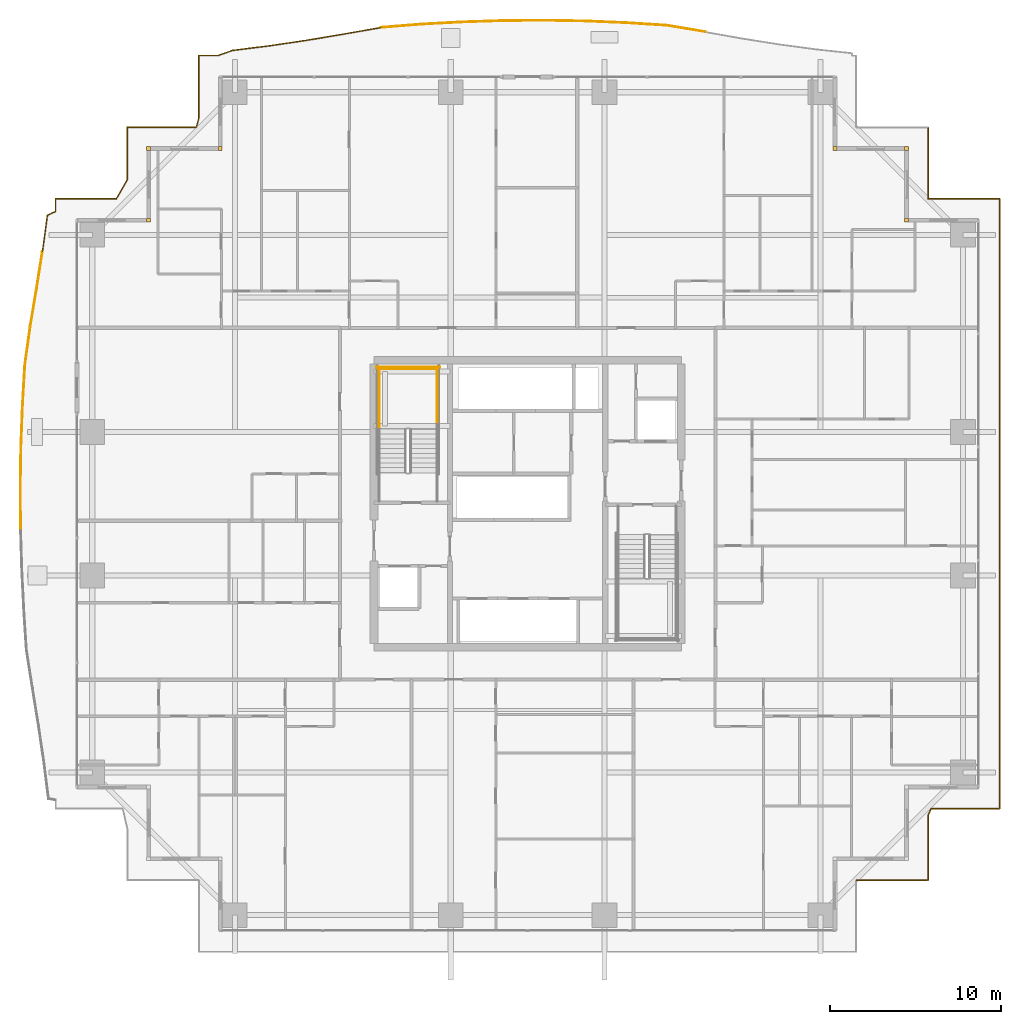
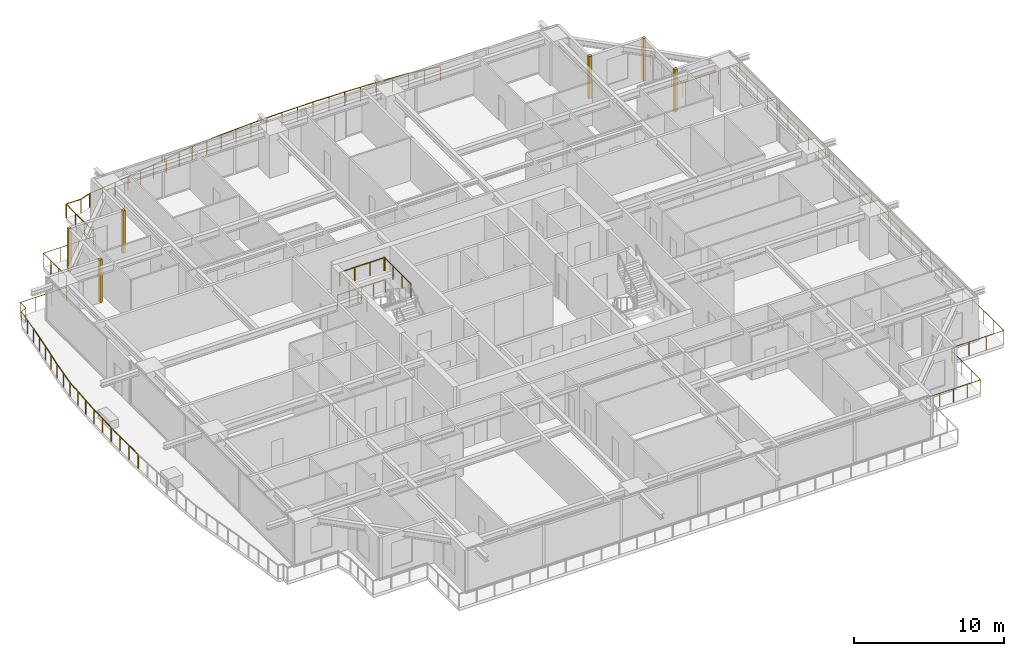
# One storey, part 34 of 35: 9 railings, 6 coverings.
"""IFC4 building model written with IfcOpenShell, lengths in metres."""

from ifc_helpers import new_model, si_unit, direction, frame, origin, origin_2d, place, context, subcontext, project, spatial, rectangle, circle, extrude, source, transform, mapped, material, layer, layer_set, type_object, element, save


model = new_model("IFC4")

# Units and contexts
model_context = context("Model", 3, precision=1e-05, world=origin(), true_north=direction((0.0, 1.0)))
body_context = subcontext(model_context, "Body", "Model", "MODEL_VIEW")
ifc_project = project(units=[si_unit("LENGTHUNIT", "METRE"), si_unit("AREAUNIT", "SQUARE_METRE"), si_unit("VOLUMEUNIT", "CUBIC_METRE"), si_unit("PLANEANGLEUNIT", "RADIAN"), si_unit("MASSUNIT", "GRAM", prefix="KILO")], contexts=[model_context])

# Site, building, storey
site_placement = place(None, origin())
site = spatial("IfcSite", under=ifc_project, at=site_placement, CompositionType="ELEMENT")
building_placement = place(site_placement, origin())
building = spatial("IfcBuilding", under=site, at=building_placement, Name="Serunith Strait Residences", CompositionType="ELEMENT")
storey_placement = place(building_placement, frame((0.0, 0.0, 71.699951171875)))
storey = spatial("IfcBuildingStorey", under=building, at=storey_placement, Name="L17", CompositionType="ELEMENT", Elevation=71.699951171875)

# Railings
ifc_material_1 = material(Name="Stainless Steel & Laminated Glass Balustrade", Category="steel")
railing_type_1 = type_object("IfcRailingType", Name="RLG-BALC-1150", PredefinedType="BALUSTRADE", material=ifc_material_1)
railing_1_placement = place(storey_placement, frame((2.70751953125, 23.76611328125, -0.050048828125)))
element("IfcRailing", 1, at=railing_1_placement, inside=storey, type_object=railing_type_1, Name="L17 Swirling Balcony Perimeter Balustrade 2", PredefinedType="BALUSTRADE", context=body_context, shape_type="SweptSolid", body=[
    extrude(circle(Radius=0.02392578125, at=origin_2d()), frame((0.0, 0.001953125, 1.1259765625), z_axis=(-0.007701433533, 0.999970343521, 0.0), x_axis=(-0.999970343521, -0.007701433533, 0.0)), (0.0, 0.0, 1.0), 2.4052734375),
    extrude(circle(Radius=0.02392578125, at=origin_2d()), frame((-0.0185546875, 2.4111328125, 1.1259765625), z_axis=(0.015523243491, 0.999879507197, 0.0), x_axis=(-0.999879507197, 0.015523243491, 0.0)), (0.0, 0.0, 1.0), 2.40234375),
    extrude(circle(Radius=0.02392578125, at=origin_2d()), frame((0.018798828125, 4.817138671875, 1.1259765625), z_axis=(0.037978302597, 0.999278564031, 0.0), x_axis=(-0.999278564031, 0.037978302597, 0.0)), (0.0, 0.0, 1.0), 2.387451171875),
    extrude(circle(Radius=0.02392578125, at=origin_2d()), frame((0.109619140625, 7.206787109375, 1.1259765625), z_axis=(0.057578734925, 0.998340968449, 0.0), x_axis=(-0.998340968449, 0.057578734925, 0.0)), (0.0, 0.0, 1.0), 2.362060546875),
    extrude(circle(Radius=0.02392578125, at=origin_2d()), frame((0.24609375, 9.56884765625, 1.1259765625), z_axis=(0.138028779724, 0.990428218483, 0.0), x_axis=(-0.990428218483, 0.138028779724, 0.0)), (0.0, 0.0, 1.0), 2.293701171875),
    extrude(circle(Radius=0.02392578125, at=origin_2d()), frame((0.563232421875, 11.844482421875, 1.1259765625), z_axis=(0.165498642095, 0.98621001793, 0.0), x_axis=(-0.98621001793, 0.165498642095, 0.0)), (0.0, 0.0, 1.0), 2.22802734375),
    extrude(circle(Radius=0.02392578125, at=origin_2d()), frame((0.9326171875, 14.045654296875, 1.1259765625), z_axis=(0.154492824652, 0.987993910473, 0.0), x_axis=(-0.987993910473, 0.154492824652, 0.0)), (0.0, 0.0, 1.0), 2.179931640625),
    extrude(circle(Radius=0.02099609375, at=origin_2d()), origin(), (0.0, 0.0, 1.0), 1.099853515625),
    extrude(circle(Radius=0.02099609375, at=origin_2d()), frame((-0.00927734375, 1.20458984375, 0.0)), (0.0, 0.0, 1.0), 1.099853515625),
    extrude(circle(Radius=0.02099609375, at=origin_2d()), frame((-0.0185546875, 2.4091796875, 0.0)), (0.0, 0.0, 1.0), 1.099853515625),
    extrude(circle(Radius=0.02099609375, at=origin_2d()), frame((0.0, 3.6123046875, 0.0)), (0.0, 0.0, 1.0), 1.099853515625),
    extrude(circle(Radius=0.02099609375, at=origin_2d()), frame((0.018798828125, 4.815185546875, 0.0)), (0.0, 0.0, 1.0), 1.099853515625),
    extrude(circle(Radius=0.02099609375, at=origin_2d()), frame((0.064208984375, 6.010009765625, 0.0)), (0.0, 0.0, 1.0), 1.099853515625),
    extrude(circle(Radius=0.02099609375, at=origin_2d()), frame((0.109619140625, 7.204833984375, 0.0)), (0.0, 0.0, 1.0), 1.099853515625),
    extrude(circle(Radius=0.02099609375, at=origin_2d()), frame((0.177734375, 8.3857421875, 0.0)), (0.0, 0.0, 1.0), 1.099853515625),
    extrude(circle(Radius=0.02099609375, at=origin_2d()), frame((0.245849609375, 9.56689453125, 0.0)), (0.0, 0.0, 1.0), 1.099853515625),
    extrude(circle(Radius=0.02099609375, at=origin_2d()), frame((0.404296875, 10.70458984375, 0.0)), (0.0, 0.0, 1.0), 1.099853515625),
    extrude(circle(Radius=0.02099609375, at=origin_2d()), frame((0.56298828125, 11.842529296875, 0.0)), (0.0, 0.0, 1.0), 1.099853515625),
    extrude(circle(Radius=0.02099609375, at=origin_2d()), frame((0.74755859375, 12.943115234375, 0.0)), (0.0, 0.0, 1.0), 1.099853515625),
    extrude(circle(Radius=0.02099609375, at=origin_2d()), frame((0.932373046875, 14.043701171875, 0.0)), (0.0, 0.0, 1.0), 1.099853515625),
    extrude(circle(Radius=0.02099609375, at=origin_2d()), frame((1.10107421875, 15.12255859375, 0.0)), (0.0, 0.0, 1.0), 1.099853515625),
    extrude(circle(Radius=0.02099609375, at=origin_2d()), frame((1.269775390625, 16.201416015625, 0.0)), (0.0, 0.0, 1.0), 1.099853515625),
])
railing_2_placement = place(storey_placement, frame((3.977294921875, 39.967529296875, -0.050048828125)))
element("IfcRailing", 2, at=railing_2_placement, inside=storey, type_object=railing_type_1, Name="L17 Swirling Balcony Perimeter Balustrade 3", PredefinedType="BALUSTRADE", context=body_context, shape_type="SweptSolid", body=[
    extrude(circle(Radius=0.02392578125, at=origin_2d()), frame((0.000244140625, 0.001953125, 1.1259765625), z_axis=(0.134571398736, 0.990903899802, 0.0), x_axis=(-0.990903899802, 0.134571398736, 0.0)), (0.0, 0.0, 1.0), 2.147705078125),
    extrude(circle(Radius=0.02392578125, at=origin_2d()), frame((0.291259765625, 2.1328125, 1.1259765625), z_axis=(0.909996259407, 0.414616458749, 0.0), x_axis=(-0.414616458749, 0.909996259407, 0.0)), (0.0, 0.0, 1.0), 0.515869140625),
    extrude(circle(Radius=0.02392578125, at=origin_2d()), frame((0.7626953125, 2.349609375, 1.1259765625), z_axis=(0.0, 1.0, 0.0), x_axis=(-1.0, 0.0, 0.0)), (0.0, 0.0, 1.0), 0.740966796875),
    extrude(circle(Radius=0.02392578125, at=origin_2d()), frame((0.7646484375, 3.092529296875, 1.1259765625), z_axis=(1.0, 0.0, 0.0), x_axis=(0.0, 1.0, 0.0)), (0.0, 0.0, 1.0), 3.558349609375),
    extrude(circle(Radius=0.02392578125, at=origin_2d()), frame((4.325927734375, 3.09423828125, 1.1259765625), z_axis=(0.49819158526, 0.867066978022, 0.0), x_axis=(-0.867066978022, 0.49819158526, 0.0)), (0.0, 0.0, 1.0), 1.276123046875),
    extrude(circle(Radius=0.02392578125, at=origin_2d()), frame((4.962646484375, 4.204345703125, 1.1259765625), z_axis=(0.0, 1.0, 0.0), x_axis=(-1.0, 0.0, 0.0)), (0.0, 0.0, 1.0), 3.086181640625),
    extrude(circle(Radius=0.02392578125, at=origin_2d()), frame((4.964599609375, 7.29248046875, 1.1259765625), z_axis=(1.0, 0.0, 0.0), x_axis=(0.0, 1.0, 0.0)), (0.0, 0.0, 1.0), 4.049560546875),
    extrude(circle(Radius=0.02392578125, at=origin_2d()), frame((9.0166015625, 7.29443359375, 1.1259765625), z_axis=(0.257448993644, 0.966291889478, 0.0), x_axis=(-0.966291889478, 0.257448993644, 0.0)), (0.0, 0.0, 1.0), 0.56494140625),
    extrude(circle(Radius=0.02099609375, at=origin_2d()), origin(), (0.0, 0.0, 1.0), 1.099853515625),
    extrude(circle(Radius=0.02099609375, at=origin_2d()), frame((0.144775390625, 1.06591796875, 0.0)), (0.0, 0.0, 1.0), 1.099853515625),
    extrude(circle(Radius=0.02099609375, at=origin_2d()), frame((0.28955078125, 2.132080078125, 0.0)), (0.0, 0.0, 1.0), 1.099853515625),
    extrude(circle(Radius=0.02099609375, at=origin_2d()), frame((0.7626953125, 2.34765625, 0.0)), (0.0, 0.0, 1.0), 1.099853515625),
    extrude(circle(Radius=0.02099609375, at=origin_2d()), frame((0.7626953125, 3.092529296875, 0.0)), (0.0, 0.0, 1.0), 1.099853515625),
    extrude(circle(Radius=0.02099609375, at=origin_2d()), frame((1.9501953125, 3.092529296875, 0.0)), (0.0, 0.0, 1.0), 1.099853515625),
    extrude(circle(Radius=0.02099609375, at=origin_2d()), frame((3.137451171875, 3.092529296875, 0.0)), (0.0, 0.0, 1.0), 1.099853515625),
    extrude(circle(Radius=0.02099609375, at=origin_2d()), frame((4.324951171875, 3.092529296875, 0.0)), (0.0, 0.0, 1.0), 1.099853515625),
    extrude(circle(Radius=0.02099609375, at=origin_2d()), frame((4.962646484375, 4.202392578125, 0.0)), (0.0, 0.0, 1.0), 1.099853515625),
    extrude(circle(Radius=0.02099609375, at=origin_2d()), frame((4.962646484375, 5.232421875, 0.0)), (0.0, 0.0, 1.0), 1.099853515625),
    extrude(circle(Radius=0.02099609375, at=origin_2d()), frame((4.962646484375, 6.262451171875, 0.0)), (0.0, 0.0, 1.0), 1.099853515625),
    extrude(circle(Radius=0.02099609375, at=origin_2d()), frame((4.962646484375, 7.29248046875, 0.0)), (0.0, 0.0, 1.0), 1.099853515625),
    extrude(circle(Radius=0.02099609375, at=origin_2d()), frame((6.313720703125, 7.29248046875, 0.0)), (0.0, 0.0, 1.0), 1.099853515625),
    extrude(circle(Radius=0.02099609375, at=origin_2d()), frame((7.6650390625, 7.29248046875, 0.0)), (0.0, 0.0, 1.0), 1.099853515625),
    extrude(circle(Radius=0.02099609375, at=origin_2d()), frame((9.01611328125, 7.29248046875, 0.0)), (0.0, 0.0, 1.0), 1.099853515625),
    extrude(circle(Radius=0.02099609375, at=origin_2d()), frame((9.16259765625, 7.84228515625, 0.0)), (0.0, 0.0, 1.0), 1.099853515625),
])
railing_3_placement = place(storey_placement, frame((13.139892578125, 47.809814453125, -0.050048828125)))
element("IfcRailing", 3, at=railing_3_placement, inside=storey, type_object=railing_type_1, Name="L17 Swirling Balcony Perimeter Balustrade 4", PredefinedType="BALUSTRADE", context=body_context, shape_type="SweptSolid", body=[
    extrude(circle(Radius=0.02392578125, at=origin_2d()), frame((0.0, 0.001953125, 1.1259765625), z_axis=(0.0, 1.0, 0.0), x_axis=(-1.0, 0.0, 0.0)), (0.0, 0.0, 1.0), 3.646240234375),
    extrude(circle(Radius=0.02392578125, at=origin_2d()), frame((0.001953125, 3.650146484375, 1.1259765625), z_axis=(1.0, 0.0, 0.0), x_axis=(0.0, 1.0, 0.0)), (0.0, 0.0, 1.0), 1.139892578125),
    extrude(circle(Radius=0.02392578125, at=origin_2d()), frame((1.145751953125, 3.65087890625, 1.1259765625), z_axis=(0.942343850609, 0.334646182139, 0.0), x_axis=(-0.334646182139, 0.942343850609, 0.0)), (0.0, 0.0, 1.0), 0.8837890625),
    extrude(circle(Radius=0.02392578125, at=origin_2d()), frame((1.982421875, 3.947509765625, 1.1259765625), z_axis=(0.992455650717, 0.122604165347, 0.0), x_axis=(-0.122604165347, 0.992455650717, 0.0)), (0.0, 0.0, 1.0), 2.138671875),
    extrude(circle(Radius=0.02392578125, at=origin_2d()), frame((4.10888671875, 4.210205078125, 1.1259765625), z_axis=(0.98918350728, 0.146683294638, 0.0), x_axis=(-0.146683294638, 0.98918350728, 0.0)), (0.0, 0.0, 1.0), 2.164794921875),
    extrude(circle(Radius=0.02392578125, at=origin_2d()), frame((6.254150390625, 4.5283203125, 1.1259765625), z_axis=(0.986247321775, 0.165276193966, 0.0), x_axis=(-0.165276193966, 0.986247321775, 0.0)), (0.0, 0.0, 1.0), 2.207275390625),
    extrude(circle(Radius=0.02392578125, at=origin_2d()), frame((8.43505859375, 4.893798828125, 1.1259765625), z_axis=(0.985115280647, 0.171894979087, 0.0), x_axis=(-0.171894979087, 0.985115280647, 0.0)), (0.0, 0.0, 1.0), 2.265625),
    extrude(circle(Radius=0.02099609375, at=origin_2d()), origin(), (0.0, 0.0, 1.0), 1.099853515625),
    extrude(circle(Radius=0.02099609375, at=origin_2d()), frame((0.0, 1.216796875, 0.0)), (0.0, 0.0, 1.0), 1.099853515625),
    extrude(circle(Radius=0.02099609375, at=origin_2d()), frame((0.0, 2.433349609375, 0.0)), (0.0, 0.0, 1.0), 1.099853515625),
    extrude(circle(Radius=0.02099609375, at=origin_2d()), frame((0.0, 3.650146484375, 0.0)), (0.0, 0.0, 1.0), 1.099853515625),
    extrude(circle(Radius=0.02099609375, at=origin_2d()), frame((1.143798828125, 3.650146484375, 0.0)), (0.0, 0.0, 1.0), 1.099853515625),
    extrude(circle(Radius=0.02099609375, at=origin_2d()), frame((1.98046875, 3.947265625, 0.0)), (0.0, 0.0, 1.0), 1.099853515625),
    extrude(circle(Radius=0.02099609375, at=origin_2d()), frame((3.043701171875, 4.07861328125, 0.0)), (0.0, 0.0, 1.0), 1.099853515625),
    extrude(circle(Radius=0.02099609375, at=origin_2d()), frame((4.10693359375, 4.2099609375, 0.0)), (0.0, 0.0, 1.0), 1.099853515625),
    extrude(circle(Radius=0.02099609375, at=origin_2d()), frame((5.1796875, 4.369140625, 0.0)), (0.0, 0.0, 1.0), 1.099853515625),
    extrude(circle(Radius=0.02099609375, at=origin_2d()), frame((6.252197265625, 4.528076171875, 0.0)), (0.0, 0.0, 1.0), 1.099853515625),
    extrude(circle(Radius=0.02099609375, at=origin_2d()), frame((7.3427734375, 4.7109375, 0.0)), (0.0, 0.0, 1.0), 1.099853515625),
    extrude(circle(Radius=0.02099609375, at=origin_2d()), frame((8.43310546875, 4.8935546875, 0.0)), (0.0, 0.0, 1.0), 1.099853515625),
    extrude(circle(Radius=0.02099609375, at=origin_2d()), frame((9.551025390625, 5.088623046875, 0.0)), (0.0, 0.0, 1.0), 1.099853515625),
    extrude(circle(Radius=0.02099609375, at=origin_2d()), frame((10.6689453125, 5.28369140625, 0.0)), (0.0, 0.0, 1.0), 1.099853515625),
])
railing_4_placement = place(storey_placement, frame((23.808837890625, 53.093505859375, -0.050048828125)))
element("IfcRailing", 4, at=railing_4_placement, inside=storey, type_object=railing_type_1, Name="L17 Swirling Balcony Perimeter Balustrade 5", PredefinedType="BALUSTRADE", context=body_context, shape_type="SweptSolid", body=[
    extrude(circle(Radius=0.02392578125, at=origin_2d()), frame((0.001953125, 0.000244140625, 1.1259765625), z_axis=(0.996733335163, 0.08076297775, 0.0), x_axis=(-0.08076297775, 0.996733335163, 0.0)), (0.0, 0.0, 1.0), 2.350830078125),
    extrude(circle(Radius=0.02392578125, at=origin_2d()), frame((2.34912109375, 0.190185546875, 1.1259765625), z_axis=(0.99855740104, 0.053694662947, 0.0), x_axis=(-0.053694662947, 0.99855740104, 0.0)), (0.0, 0.0, 1.0), 2.3876953125),
    extrude(circle(Radius=0.02392578125, at=origin_2d()), frame((4.7373046875, 0.318603515625, 1.1259765625), z_axis=(0.999469762122, 0.032560629644, 0.0), x_axis=(-0.032560629644, 0.999469762122, 0.0)), (0.0, 0.0, 1.0), 2.410400390625),
    extrude(circle(Radius=0.02392578125, at=origin_2d()), frame((7.150390625, 0.397216796875, 1.1259765625), z_axis=(0.999965899207, 0.008258354692, 0.0), x_axis=(-0.008258354692, 0.999965899207, 0.0)), (0.0, 0.0, 1.0), 2.420166015625),
    extrude(circle(Radius=0.02392578125, at=origin_2d()), frame((9.574462890625, 0.417236328125, 1.1259765625), z_axis=(0.999847751575, -0.017449173915, 0.0), x_axis=(0.017449173915, 0.999847751575, 0.0)), (0.0, 0.0, 1.0), 2.41650390625),
    extrude(circle(Radius=0.02392578125, at=origin_2d()), frame((11.99462890625, 0.375, 1.1259765625), z_axis=(0.999106460275, -0.042264418088, 0.0), x_axis=(0.042264418088, 0.999106460275, 0.0)), (0.0, 0.0, 1.0), 2.39892578125),
    extrude(circle(Radius=0.02392578125, at=origin_2d()), frame((14.3955078125, 0.273193359375, 1.1259765625), z_axis=(0.997984356838, -0.063460408963, 0.0), x_axis=(0.063460408963, 0.997984356838, 0.0)), (0.0, 0.0, 1.0), 2.36962890625),
    extrude(circle(Radius=0.02392578125, at=origin_2d()), frame((16.764404296875, 0.12255859375, 1.1259765625), z_axis=(0.986165222137, -0.165765360216, 0.0), x_axis=(0.165765360216, 0.986165222137, 0.0)), (0.0, 0.0, 1.0), 2.28466796875),
    extrude(circle(Radius=0.02099609375, at=origin_2d()), origin(), (0.0, 0.0, 1.0), 1.099853515625),
    extrude(circle(Radius=0.02099609375, at=origin_2d()), frame((1.173583984375, 0.09521484375, 0.0)), (0.0, 0.0, 1.0), 1.099853515625),
    extrude(circle(Radius=0.02099609375, at=origin_2d()), frame((2.34716796875, 0.190185546875, 0.0)), (0.0, 0.0, 1.0), 1.099853515625),
    extrude(circle(Radius=0.02099609375, at=origin_2d()), frame((3.541259765625, 0.25439453125, 0.0)), (0.0, 0.0, 1.0), 1.099853515625),
    extrude(circle(Radius=0.02099609375, at=origin_2d()), frame((4.7353515625, 0.318603515625, 0.0)), (0.0, 0.0, 1.0), 1.099853515625),
    extrude(circle(Radius=0.02099609375, at=origin_2d()), frame((5.94189453125, 0.35791015625, 0.0)), (0.0, 0.0, 1.0), 1.099853515625),
    extrude(circle(Radius=0.02099609375, at=origin_2d()), frame((7.1484375, 0.397216796875, 0.0)), (0.0, 0.0, 1.0), 1.099853515625),
    extrude(circle(Radius=0.02099609375, at=origin_2d()), frame((8.3603515625, 0.4072265625, 0.0)), (0.0, 0.0, 1.0), 1.099853515625),
    extrude(circle(Radius=0.02099609375, at=origin_2d()), frame((9.572509765625, 0.417236328125, 0.0)), (0.0, 0.0, 1.0), 1.099853515625),
    extrude(circle(Radius=0.02099609375, at=origin_2d()), frame((10.78271484375, 0.39599609375, 0.0)), (0.0, 0.0, 1.0), 1.099853515625),
    extrude(circle(Radius=0.02099609375, at=origin_2d()), frame((11.99267578125, 0.375, 0.0)), (0.0, 0.0, 1.0), 1.099853515625),
    extrude(circle(Radius=0.02099609375, at=origin_2d()), frame((13.193115234375, 0.32421875, 0.0)), (0.0, 0.0, 1.0), 1.099853515625),
    extrude(circle(Radius=0.02099609375, at=origin_2d()), frame((14.3935546875, 0.2734375, 0.0)), (0.0, 0.0, 1.0), 1.099853515625),
    extrude(circle(Radius=0.02099609375, at=origin_2d()), frame((15.578125, 0.1982421875, 0.0)), (0.0, 0.0, 1.0), 1.099853515625),
    extrude(circle(Radius=0.02099609375, at=origin_2d()), frame((16.762451171875, 0.122802734375, 0.0)), (0.0, 0.0, 1.0), 1.099853515625),
    extrude(circle(Radius=0.02099609375, at=origin_2d()), frame((17.89111328125, -0.06689453125, 0.0)), (0.0, 0.0, 1.0), 1.099853515625),
    extrude(circle(Radius=0.02099609375, at=origin_2d()), frame((19.01953125, -0.256591796875, 0.0)), (0.0, 0.0, 1.0), 1.099853515625),
])
railing_5_placement = place(storey_placement, frame((55.860107421875, 47.260009765625, -0.050048828125)))
element("IfcRailing", 5, at=railing_5_placement, inside=storey, type_object=railing_type_1, Name="L17 Swirling Balcony Perimeter Balustrade 7", PredefinedType="BALUSTRADE", context=body_context, shape_type="SweptSolid", body=[
    extrude(circle(Radius=0.02392578125, at=origin_2d()), frame((0.0, -0.001953125, 1.1259765625), z_axis=(0.0, -1.0, 0.0), x_axis=(1.0, 0.0, 0.0)), (0.0, 0.0, 1.0), 4.196044921875),
    extrude(circle(Radius=0.02392578125, at=origin_2d()), frame((0.001953125, -4.199951171875, 1.1259765625), z_axis=(1.0, 0.0, 0.0), x_axis=(0.0, 1.0, 0.0)), (0.0, 0.0, 1.0), 4.196044921875),
    extrude(circle(Radius=0.02392578125, at=origin_2d()), frame((4.199951171875, -4.201904296875, 1.1259765625), z_axis=(0.0, -1.0, 0.0), x_axis=(1.0, 0.0, 0.0)), (0.0, 0.0, 1.0), 35.716064453125),
    extrude(circle(Radius=0.02392578125, at=origin_2d()), frame((4.197998046875, -39.919921875, 1.1259765625), z_axis=(-1.0, 0.0, 0.0), x_axis=(0.0, -1.0, 0.0)), (0.0, 0.0, 1.0), 4.014892578125),
    extrude(circle(Radius=0.02392578125, at=origin_2d()), frame((0.180419921875, -39.921630859375, 1.1259765625), z_axis=(-0.414518347731, -0.91004095479, 0.0), x_axis=(0.91004095479, -0.414518347731, 0.0)), (0.0, 0.0, 1.0), 0.43310546875),
    extrude(circle(Radius=0.02392578125, at=origin_2d()), frame((0.0, -40.319580078125, 1.1259765625), z_axis=(0.0, -1.0, 0.0), x_axis=(1.0, 0.0, 0.0)), (0.0, 0.0, 1.0), 3.798583984375),
    extrude(circle(Radius=0.02392578125, at=origin_2d()), frame((-0.001953125, -44.1201171875, 1.1259765625), z_axis=(-1.0, 0.0, 0.0), x_axis=(0.0, -1.0, 0.0)), (0.0, 0.0, 1.0), 4.1962890625),
    extrude(circle(Radius=0.02099609375, at=origin_2d()), origin(), (0.0, 0.0, 1.0), 1.099853515625),
    extrude(circle(Radius=0.02099609375, at=origin_2d()), frame((0.0, -1.39990234375, 0.0)), (0.0, 0.0, 1.0), 1.099853515625),
    extrude(circle(Radius=0.02099609375, at=origin_2d()), frame((0.0, -2.800048828125, 0.0)), (0.0, 0.0, 1.0), 1.099853515625),
    extrude(circle(Radius=0.02099609375, at=origin_2d()), frame((0.0, -4.199951171875, 0.0)), (0.0, 0.0, 1.0), 1.099853515625),
    extrude(circle(Radius=0.02099609375, at=origin_2d()), frame((1.39990234375, -4.199951171875, 0.0)), (0.0, 0.0, 1.0), 1.099853515625),
    extrude(circle(Radius=0.02099609375, at=origin_2d()), frame((2.800048828125, -4.199951171875, 0.0)), (0.0, 0.0, 1.0), 1.099853515625),
    extrude(circle(Radius=0.02099609375, at=origin_2d()), frame((4.199951171875, -4.199951171875, 0.0)), (0.0, 0.0, 1.0), 1.099853515625),
    extrude(circle(Radius=0.02099609375, at=origin_2d()), frame((4.199951171875, -5.57373046875, 0.0)), (0.0, 0.0, 1.0), 1.099853515625),
    extrude(circle(Radius=0.02099609375, at=origin_2d()), frame((4.199951171875, -6.94775390625, 0.0)), (0.0, 0.0, 1.0), 1.099853515625),
    extrude(circle(Radius=0.02099609375, at=origin_2d()), frame((4.199951171875, -8.321533203125, 0.0)), (0.0, 0.0, 1.0), 1.099853515625),
    extrude(circle(Radius=0.02099609375, at=origin_2d()), frame((4.199951171875, -9.6953125, 0.0)), (0.0, 0.0, 1.0), 1.099853515625),
    extrude(circle(Radius=0.02099609375, at=origin_2d()), frame((4.199951171875, -11.069091796875, 0.0)), (0.0, 0.0, 1.0), 1.099853515625),
    extrude(circle(Radius=0.02099609375, at=origin_2d()), frame((4.199951171875, -12.443115234375, 0.0)), (0.0, 0.0, 1.0), 1.099853515625),
    extrude(circle(Radius=0.02099609375, at=origin_2d()), frame((4.199951171875, -13.81689453125, 0.0)), (0.0, 0.0, 1.0), 1.099853515625),
    extrude(circle(Radius=0.02099609375, at=origin_2d()), frame((4.199951171875, -15.190673828125, 0.0)), (0.0, 0.0, 1.0), 1.099853515625),
    extrude(circle(Radius=0.02099609375, at=origin_2d()), frame((4.199951171875, -16.564453125, 0.0)), (0.0, 0.0, 1.0), 1.099853515625),
    extrude(circle(Radius=0.02099609375, at=origin_2d()), frame((4.199951171875, -17.9384765625, 0.0)), (0.0, 0.0, 1.0), 1.099853515625),
    extrude(circle(Radius=0.02099609375, at=origin_2d()), frame((4.199951171875, -19.312255859375, 0.0)), (0.0, 0.0, 1.0), 1.099853515625),
    extrude(circle(Radius=0.02099609375, at=origin_2d()), frame((4.199951171875, -20.68603515625, 0.0)), (0.0, 0.0, 1.0), 1.099853515625),
    extrude(circle(Radius=0.02099609375, at=origin_2d()), frame((4.199951171875, -22.06005859375, 0.0)), (0.0, 0.0, 1.0), 1.099853515625),
    extrude(circle(Radius=0.02099609375, at=origin_2d()), frame((4.199951171875, -23.433837890625, 0.0)), (0.0, 0.0, 1.0), 1.099853515625),
    extrude(circle(Radius=0.02099609375, at=origin_2d()), frame((4.199951171875, -24.8076171875, 0.0)), (0.0, 0.0, 1.0), 1.099853515625),
    extrude(circle(Radius=0.02099609375, at=origin_2d()), frame((4.199951171875, -26.181396484375, 0.0)), (0.0, 0.0, 1.0), 1.099853515625),
    extrude(circle(Radius=0.02099609375, at=origin_2d()), frame((4.199951171875, -27.555419921875, 0.0)), (0.0, 0.0, 1.0), 1.099853515625),
    extrude(circle(Radius=0.02099609375, at=origin_2d()), frame((4.199951171875, -28.92919921875, 0.0)), (0.0, 0.0, 1.0), 1.099853515625),
    extrude(circle(Radius=0.02099609375, at=origin_2d()), frame((4.199951171875, -30.302978515625, 0.0)), (0.0, 0.0, 1.0), 1.099853515625),
    extrude(circle(Radius=0.02099609375, at=origin_2d()), frame((4.199951171875, -31.6767578125, 0.0)), (0.0, 0.0, 1.0), 1.099853515625),
    extrude(circle(Radius=0.02099609375, at=origin_2d()), frame((4.199951171875, -33.05078125, 0.0)), (0.0, 0.0, 1.0), 1.099853515625),
    extrude(circle(Radius=0.02099609375, at=origin_2d()), frame((4.199951171875, -34.424560546875, 0.0)), (0.0, 0.0, 1.0), 1.099853515625),
    extrude(circle(Radius=0.02099609375, at=origin_2d()), frame((4.199951171875, -35.79833984375, 0.0)), (0.0, 0.0, 1.0), 1.099853515625),
    extrude(circle(Radius=0.02099609375, at=origin_2d()), frame((4.199951171875, -37.172119140625, 0.0)), (0.0, 0.0, 1.0), 1.099853515625),
    extrude(circle(Radius=0.02099609375, at=origin_2d()), frame((4.199951171875, -38.546142578125, 0.0)), (0.0, 0.0, 1.0), 1.099853515625),
    extrude(circle(Radius=0.02099609375, at=origin_2d()), frame((4.199951171875, -39.919921875, 0.0)), (0.0, 0.0, 1.0), 1.099853515625),
    extrude(circle(Radius=0.02099609375, at=origin_2d()), frame((2.8603515625, -39.919921875, 0.0)), (0.0, 0.0, 1.0), 1.099853515625),
    extrude(circle(Radius=0.02099609375, at=origin_2d()), frame((1.520751953125, -39.919921875, 0.0)), (0.0, 0.0, 1.0), 1.099853515625),
    extrude(circle(Radius=0.02099609375, at=origin_2d()), frame((0.18115234375, -39.919921875, 0.0)), (0.0, 0.0, 1.0), 1.099853515625),
    extrude(circle(Radius=0.02099609375, at=origin_2d()), frame((0.0, -40.317626953125, 0.0)), (0.0, 0.0, 1.0), 1.099853515625),
    extrude(circle(Radius=0.02099609375, at=origin_2d()), frame((0.0, -41.585205078125, 0.0)), (0.0, 0.0, 1.0), 1.099853515625),
    extrude(circle(Radius=0.02099609375, at=origin_2d()), frame((0.0, -42.8525390625, 0.0)), (0.0, 0.0, 1.0), 1.099853515625),
    extrude(circle(Radius=0.02099609375, at=origin_2d()), frame((0.0, -44.1201171875, 0.0)), (0.0, 0.0, 1.0), 1.099853515625),
    extrude(circle(Radius=0.02099609375, at=origin_2d()), frame((-1.050048828125, -44.1201171875, 0.0)), (0.0, 0.0, 1.0), 1.099853515625),
    extrude(circle(Radius=0.02099609375, at=origin_2d()), frame((-2.10009765625, -44.1201171875, 0.0)), (0.0, 0.0, 1.0), 1.099853515625),
    extrude(circle(Radius=0.02099609375, at=origin_2d()), frame((-3.150146484375, -44.1201171875, 0.0)), (0.0, 0.0, 1.0), 1.099853515625),
    extrude(circle(Radius=0.02099609375, at=origin_2d()), frame((-4.2001953125, -44.1201171875, 0.0)), (0.0, 0.0, 1.0), 1.099853515625),
])
ifc_material_2 = material(Name="Brushed stainless steel 316L", Category="steel")
railing_type_2 = type_object("IfcRailingType", Name="RLG-STAIR-GUARD", PredefinedType="BALUSTRADE", material=ifc_material_2)
for number, where, name in (
    (6, (27.10009765625, 29.550048828125, 1.875), "L17 ST-1 stair guard 3"),
    (7, (23.699951171875, 29.550048828125, 1.875), "L17 ST-1 stair guard 4"),
):
    element("IfcRailing", number, at=place(storey_placement, frame(where)), inside=storey, type_object=railing_type_2, Name=name, PredefinedType="BALUSTRADE", context=body_context, shape_type="SweptSolid", body=[
        extrude(circle(Radius=0.02392578125, at=origin_2d()), frame((0.0, 0.001953125, 1.076171875), z_axis=(0.0, 1.0, 0.0), x_axis=(-1.0, 0.0, 0.0)), (0.0, 0.0, 1.0), 3.595947265625),
        extrude(circle(Radius=0.02099609375, at=origin_2d()), origin(), (0.0, 0.0, 1.0), 1.050048828125),
        extrude(circle(Radius=0.02099609375, at=origin_2d()), frame((0.0, 1.199951171875, 0.0)), (0.0, 0.0, 1.0), 1.050048828125),
        extrude(circle(Radius=0.02099609375, at=origin_2d()), frame((0.0, 2.39990234375, 0.0)), (0.0, 0.0, 1.0), 1.050048828125),
        extrude(circle(Radius=0.02099609375, at=origin_2d()), frame((0.0, 3.599853515625, 0.0)), (0.0, 0.0, 1.0), 1.050048828125),
    ])
railing_6_placement = place(storey_placement, frame((27.14990234375, 33.10009765625, 1.875)))
element("IfcRailing", 8, at=railing_6_placement, inside=storey, type_object=railing_type_2, Name="L17 ST-1 stair guard 5", PredefinedType="BALUSTRADE", context=body_context, shape_type="SweptSolid", body=[
    extrude(circle(Radius=0.02392578125, at=origin_2d()), frame((-0.001953125, 0.0, 1.076171875), z_axis=(-1.0, 0.0, 0.0), x_axis=(0.0, -1.0, 0.0)), (0.0, 0.0, 1.0), 3.49609375),
    extrude(circle(Radius=0.02099609375, at=origin_2d()), origin(), (0.0, 0.0, 1.0), 1.050048828125),
    extrude(circle(Radius=0.02099609375, at=origin_2d()), frame((-1.166748046875, 0.0, 0.0)), (0.0, 0.0, 1.0), 1.050048828125),
    extrude(circle(Radius=0.02099609375, at=origin_2d()), frame((-2.333251953125, 0.0, 0.0)), (0.0, 0.0, 1.0), 1.050048828125),
    extrude(circle(Radius=0.02099609375, at=origin_2d()), frame((-3.5, 0.0, 0.0)), (0.0, 0.0, 1.0), 1.050048828125),
])
railing_7_placement = place(storey_placement, frame((27.25, 33.199951171875, 0.0)))
element("IfcRailing", 9, at=railing_7_placement, inside=storey, type_object=railing_type_2, Name="L17 ST-1 stair guard 12", PredefinedType="BALUSTRADE", context=body_context, shape_type="SweptSolid", body=[
    extrude(circle(Radius=0.02392578125, at=origin_2d()), frame((-0.001953125, 0.0, 1.076171875), z_axis=(-1.0, 0.0, 0.0), x_axis=(0.0, -1.0, 0.0)), (0.0, 0.0, 1.0), 3.696044921875),
    extrude(circle(Radius=0.02099609375, at=origin_2d()), origin(), (0.0, 0.0, 1.0), 1.050048828125),
    extrude(circle(Radius=0.02099609375, at=origin_2d()), frame((-0.925048828125, 0.0, 0.0)), (0.0, 0.0, 1.0), 1.050048828125),
    extrude(circle(Radius=0.02099609375, at=origin_2d()), frame((-1.85009765625, 0.0, 0.0)), (0.0, 0.0, 1.0), 1.050048828125),
    extrude(circle(Radius=0.02099609375, at=origin_2d()), frame((-2.77490234375, 0.0, 0.0)), (0.0, 0.0, 1.0), 1.050048828125),
    extrude(circle(Radius=0.02099609375, at=origin_2d()), frame((-3.699951171875, 0.0, 0.0)), (0.0, 0.0, 1.0), 1.050048828125),
])

# Coverings
ifc_material_3 = material(Name="Pale-Champagne Anodised Aluminium", Category="aluminium")
ifc_layer = layer(ifc_material_3, 0.219970703125, Name="Pale-Champagne Anodised Aluminium")
ifc_layer_set = layer_set([ifc_layer], Name="Pale-Champagne Anodised Aluminium")
covering_type = type_object("IfcCoveringType", Name="COV-CORN-TRIM", PredefinedType="CLADDING", material=ifc_layer_set)
shared_shape = source(origin(), body_context, "Body", "SweptSolid", [
    extrude(rectangle(XDim=0.221923828125, YDim=0.221923828125, at=origin_2d()), origin(), (0.0, 0.0, 1.0), 3.47509765625),
])
for number, where, z_axis, x_axis, name in (
    (10, (54.60009765625, 41.800048828125, 0.0), (0.0, 0.0, 1.0), (1.0, 0.0, 0.0), "L17 Girih Serrated Corner Trim Post 07"),
    (11, (54.60009765625, 46.0, 0.0), (0.0, 0.0, 1.0), (1.0, 0.0, 0.0), "L17 Girih Serrated Corner Trim Post 08"),
    (12, (50.39990234375, 46.0, 0.0), (0.0, 0.0, 1.0), (1.0, 0.0, 0.0), "L17 Girih Serrated Corner Trim Post 09"),
    (13, (14.39990234375, 46.0, 0.0), (0.0, 0.0, 1.0), (1.0, 0.0, 0.0), "L17 Girih Serrated Corner Trim Post 12"),
    (14, (10.199951171875, 46.0, 0.0), (0.0, 0.0, 1.0), (1.0, 0.0, 0.0), "L17 Girih Serrated Corner Trim Post 13"),
    (15, (10.199951171875, 41.800048828125, 0.0), (0.0, 0.0, 1.0), (1.0, 0.0, 0.0), "L17 Girih Serrated Corner Trim Post 14"),
):
    element("IfcCovering", number, at=place(storey_placement, frame(where, z_axis=z_axis, x_axis=x_axis)), inside=storey, type_object=covering_type, Name=name, PredefinedType="CLADDING", context=body_context, shape_type="MappedRepresentation", body=[
        mapped(shared_shape, transform((0.0, 0.0, 0.0), scale=1.0)),
    ])

save(model, "model.ifc")
